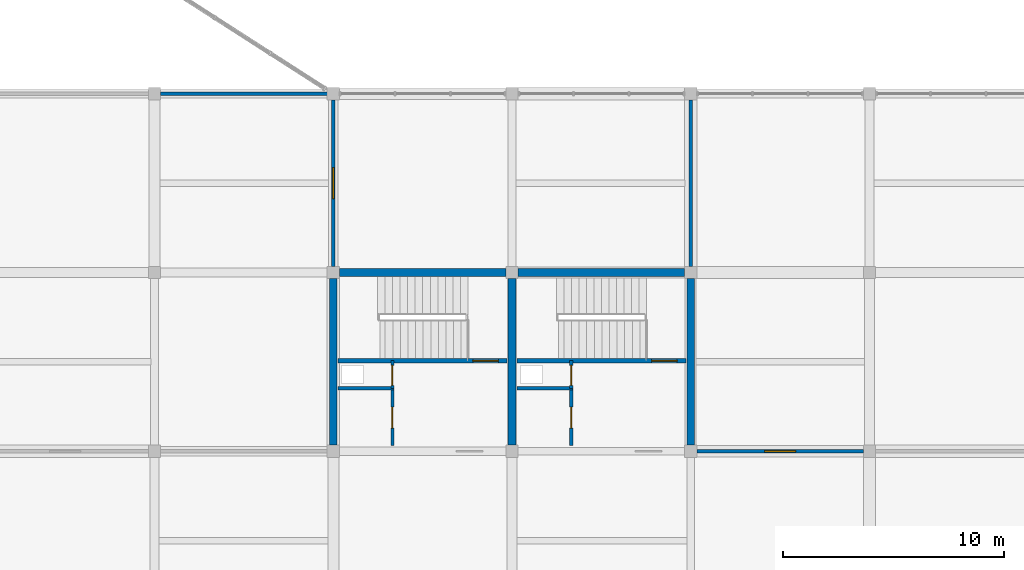
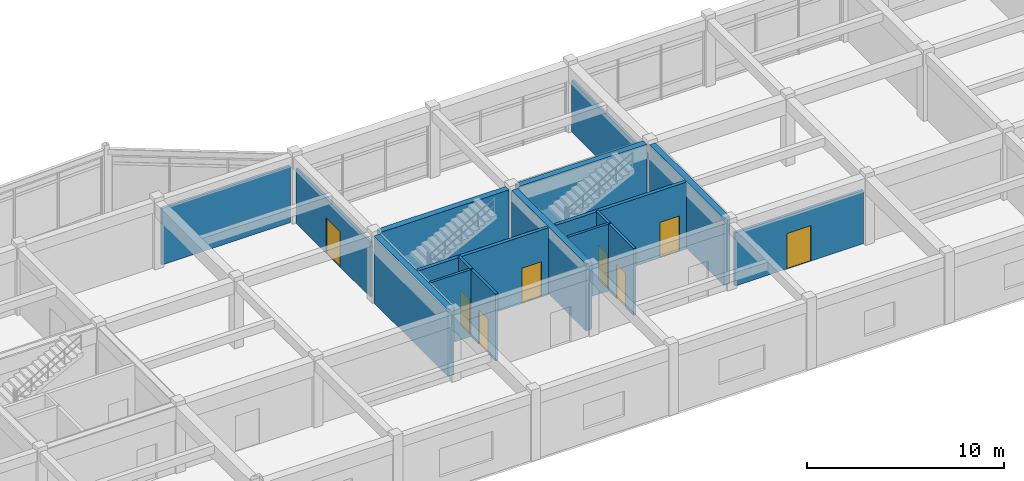
# One storey, part 30 of 42: 17 walls, 8 doors, 8 openings.
"""IFC4 building model written with IfcOpenShell, lengths in metres."""

from ifc_helpers import new_model, si_unit, direction, frame, frame_2d, origin, place, context, subcontext, project, spatial, rectangle, extrude, material, layer, layer_set, type_object, element, fill, save


model = new_model("IFC4")

# Units and contexts
model_context = context("Model", 3, precision=1e-05, world=origin(), true_north=direction((0.0, 1.0)))
body_context = subcontext(model_context, "Body", "Model", "MODEL_VIEW")
ifc_project = project(units=[si_unit("LENGTHUNIT", "METRE"), si_unit("AREAUNIT", "SQUARE_METRE"), si_unit("VOLUMEUNIT", "CUBIC_METRE"), si_unit("PLANEANGLEUNIT", "RADIAN"), si_unit("MASSUNIT", "GRAM", prefix="KILO")], contexts=[model_context])

# Site, building, storey
site_placement = place(None, origin())
site = spatial("IfcSite", under=ifc_project, at=site_placement, CompositionType="ELEMENT")
building_placement = place(site_placement, origin())
building = spatial("IfcBuilding", under=site, at=building_placement, Name="Vaudrelin Polytechnic", CompositionType="ELEMENT")
storey_placement = place(building_placement, frame((0.0, 0.0, 18.530029296875)))
storey = spatial("IfcBuildingStorey", under=building, at=storey_placement, Name="L04", CompositionType="ELEMENT", Elevation=18.530029296875)

# Wall, opening, door
ifc_material_1 = material(Name="Fire-rated steel-stud gypsum compartment wall", Category="steel")
ifc_layer_1 = layer(ifc_material_1, 0.14990234375)
ifc_layer_set_1 = layer_set([ifc_layer_1], Name="Fire-rated steel-stud gypsum compartment wall")
wall_type_1 = type_object("IfcWallType", Name="WAL-PW-FIRE60", PredefinedType="PARTITIONING", material=ifc_layer_set_1)
wall_1_placement = place(storey_placement, frame((116.080078125, 108.14990234375, 0.0), z_axis=(0.0, 0.0, 1.0), x_axis=(0.0, 1.0, 0.0)))
wall_1 = element("IfcWall", 1, at=wall_1_placement, inside=storey, type_object=wall_type_1, Name="Core C10 riser enclosure wall L04", PredefinedType="PARTITIONING", context=body_context, shape_type="SweptSolid", body=[
    extrude(rectangle(XDim=1.260009765625, YDim=0.14990234375, at=frame_2d((0.6298828125, 0.0))), origin(), (0.0, 0.0, 1.0), 4.161865234375),
])
opening_1_placement = place(wall_1_placement, frame((0.139892578125, 0.0, 0.0)))
opening_1 = element("IfcOpeningElement", 2, at=opening_1_placement, cuts=wall_1, Name="Opening D-L04-226", PredefinedType="OPENING", context=body_context, shape_type="SweptSolid", body=[
    extrude(rectangle(XDim=0.89990234375, YDim=2.14990234375, at=frame_2d((0.449951171875, 1.074951171875))), frame((0.0, 0.0849609375, 0.0), z_axis=(0.0, -1.0, 0.0), x_axis=(1.0, 0.0, 0.0)), (0.0, 0.0, 1.0), 0.169921875),
])
ifc_material_2 = material(Name="Pressed galvanised steel acoustic leaf", Category="steel")
door_type_1 = type_object("IfcDoorType", Name="DOR-ID-RSR1", OperationType="NOTDEFINED", PredefinedType="DOOR", material=ifc_material_2)
door_1_placement = place(opening_1_placement, origin())
door_1 = element("IfcDoor", 3, at=door_1_placement, inside=storey, type_object=door_type_1, Name="Core C10 riser access door L04", OperationType="SINGLE_SWING_RIGHT", OverallHeight=2.14990234375, OverallWidth=0.89990234375, PredefinedType="DOOR", context=body_context, shape_type="SweptSolid", body=[
    extrude(rectangle(XDim=0.89990234375, YDim=2.14990234375, at=frame_2d((0.449951171875, 1.074951171875))), frame((0.0, 0.02490234375, 0.0), z_axis=(0.0, -1.0, 0.0), x_axis=(1.0, 0.0, 0.0)), (0.0, 0.0, 1.0), 0.050048828125),
])
fill(opening_1, door_1)

# Wall
wall_2_placement = place(storey_placement, frame((113.6201171875, 108.14990234375, 0.0), z_axis=(0.0, 0.0, 1.0), x_axis=(1.0, 0.0, 0.0)))
element("IfcWall", 4, at=wall_2_placement, inside=storey, type_object=wall_type_1, Name="Core C10 riser south fire wall L04", PredefinedType="PARTITIONING", context=body_context, shape_type="SweptSolid", body=[
    extrude(rectangle(XDim=2.52978515625, YDim=0.14990234375, at=frame_2d((1.264892578125, 0.0))), origin(), (0.0, 0.0, 1.0), 4.161865234375),
])

# Wall, opening, door
wall_3_placement = place(storey_placement, frame((116.080078125, 105.550048828125, 0.0), z_axis=(0.0, 0.0, 1.0), x_axis=(0.0, 1.0, 0.0)))
wall_3 = element("IfcWall", 5, at=wall_3_placement, inside=storey, type_object=wall_type_1, Name="Core C10 custodial enclosure wall L04", PredefinedType="PARTITIONING", context=body_context, shape_type="SweptSolid", body=[
    extrude(rectangle(XDim=2.599853515625, YDim=0.14990234375, at=frame_2d((1.2998046875, 0.0))), origin(), (0.0, 0.0, 1.0), 4.161865234375),
])
opening_2_placement = place(wall_3_placement, frame((0.800048828125, 0.0, 0.0)))
opening_2 = element("IfcOpeningElement", 6, at=opening_2_placement, cuts=wall_3, Name="Opening D-L04-227", PredefinedType="OPENING", context=body_context, shape_type="SweptSolid", body=[
    extrude(rectangle(XDim=0.949951171875, YDim=2.14990234375, at=frame_2d((0.47509765625, 1.074951171875))), frame((0.0, 0.0849609375, 0.0), z_axis=(0.0, -1.0, 0.0), x_axis=(1.0, 0.0, 0.0)), (0.0, 0.0, 1.0), 0.169921875),
])
door_type_2 = type_object("IfcDoorType", Name="DOR-ID-STR1", OperationType="NOTDEFINED", PredefinedType="DOOR", material=ifc_material_2)
door_2_placement = place(opening_2_placement, origin())
door_2 = element("IfcDoor", 7, at=door_2_placement, inside=storey, type_object=door_type_2, Name="Core C10 custodial door L04", OperationType="SINGLE_SWING_RIGHT", OverallHeight=2.14990234375, OverallWidth=0.949951171875, PredefinedType="DOOR", context=body_context, shape_type="SweptSolid", body=[
    extrude(rectangle(XDim=0.949951171875, YDim=2.14990234375, at=frame_2d((0.47509765625, 1.074951171875))), frame((0.0, 0.02490234375, 0.0), z_axis=(0.0, -1.0, 0.0), x_axis=(1.0, 0.0, 0.0)), (0.0, 0.0, 1.0), 0.050048828125),
])
fill(opening_2, door_2)

wall_4_placement = place(storey_placement, frame((107.97998046875, 108.14990234375, 0.0), z_axis=(0.0, 0.0, 1.0), x_axis=(0.0, 1.0, 0.0)))
wall_4 = element("IfcWall", 8, at=wall_4_placement, inside=storey, type_object=wall_type_1, Name="Core C11 riser enclosure wall L04", PredefinedType="PARTITIONING", context=body_context, shape_type="SweptSolid", body=[
    extrude(rectangle(XDim=1.260009765625, YDim=0.14990234375, at=frame_2d((0.6298828125, 0.0))), origin(), (0.0, 0.0, 1.0), 4.161865234375),
])
opening_3_placement = place(wall_4_placement, frame((0.139892578125, 0.0, 0.0)))
opening_3 = element("IfcOpeningElement", 9, at=opening_3_placement, cuts=wall_4, Name="Opening D-L04-255", PredefinedType="OPENING", context=body_context, shape_type="SweptSolid", body=[
    extrude(rectangle(XDim=0.89990234375, YDim=2.14990234375, at=frame_2d((0.449951171875, 1.074951171875))), frame((0.0, 0.0849609375, 0.0), z_axis=(0.0, -1.0, 0.0), x_axis=(1.0, 0.0, 0.0)), (0.0, 0.0, 1.0), 0.169921875),
])
door_3_placement = place(opening_3_placement, origin())
door_3 = element("IfcDoor", 10, at=door_3_placement, inside=storey, type_object=door_type_1, Name="Core C11 riser access door L04", OperationType="SINGLE_SWING_RIGHT", OverallHeight=2.14990234375, OverallWidth=0.89990234375, PredefinedType="DOOR", context=body_context, shape_type="SweptSolid", body=[
    extrude(rectangle(XDim=0.89990234375, YDim=2.14990234375, at=frame_2d((0.449951171875, 1.074951171875))), frame((0.0, 0.02490234375, 0.0), z_axis=(0.0, -1.0, 0.0), x_axis=(1.0, 0.0, 0.0)), (0.0, 0.0, 1.0), 0.050048828125),
])
fill(opening_3, door_3)

# Wall
wall_5_placement = place(storey_placement, frame((105.52001953125, 108.14990234375, 0.0), z_axis=(0.0, 0.0, 1.0), x_axis=(1.0, 0.0, 0.0)))
element("IfcWall", 11, at=wall_5_placement, inside=storey, type_object=wall_type_1, Name="Core C11 riser south fire wall L04", PredefinedType="PARTITIONING", context=body_context, shape_type="SweptSolid", body=[
    extrude(rectangle(XDim=2.530029296875, YDim=0.14990234375, at=frame_2d((1.26513671875, 0.0))), origin(), (0.0, 0.0, 1.0), 4.161865234375),
])

# Wall, opening, door
wall_6_placement = place(storey_placement, frame((107.97998046875, 105.550048828125, 0.0), z_axis=(0.0, 0.0, 1.0), x_axis=(0.0, 1.0, 0.0)))
wall_6 = element("IfcWall", 12, at=wall_6_placement, inside=storey, type_object=wall_type_1, Name="Core C11 custodial enclosure wall L04", PredefinedType="PARTITIONING", context=body_context, shape_type="SweptSolid", body=[
    extrude(rectangle(XDim=2.599853515625, YDim=0.14990234375, at=frame_2d((1.2998046875, 0.0))), origin(), (0.0, 0.0, 1.0), 4.161865234375),
])
opening_4_placement = place(wall_6_placement, frame((0.800048828125, 0.0, 0.0)))
opening_4 = element("IfcOpeningElement", 13, at=opening_4_placement, cuts=wall_6, Name="Opening D-L04-256", PredefinedType="OPENING", context=body_context, shape_type="SweptSolid", body=[
    extrude(rectangle(XDim=0.949951171875, YDim=2.14990234375, at=frame_2d((0.47509765625, 1.074951171875))), frame((0.0, 0.0849609375, 0.0), z_axis=(0.0, -1.0, 0.0), x_axis=(1.0, 0.0, 0.0)), (0.0, 0.0, 1.0), 0.169921875),
])
door_4_placement = place(opening_4_placement, origin())
door_4 = element("IfcDoor", 14, at=door_4_placement, inside=storey, type_object=door_type_2, Name="Core C11 custodial door L04", OperationType="SINGLE_SWING_RIGHT", OverallHeight=2.14990234375, OverallWidth=0.949951171875, PredefinedType="DOOR", context=body_context, shape_type="SweptSolid", body=[
    extrude(rectangle(XDim=0.949951171875, YDim=2.14990234375, at=frame_2d((0.47509765625, 1.074951171875))), frame((0.0, 0.02490234375, 0.0), z_axis=(0.0, -1.0, 0.0), x_axis=(1.0, 0.0, 0.0)), (0.0, 0.0, 1.0), 0.050048828125),
])
fill(opening_4, door_4)

ifc_material_3 = material(Name="Pin-up plywood & acoustic gypsum studio partition", Category="wood")
ifc_layer_2 = layer(ifc_material_3, 0.14990234375)
ifc_layer_set_2 = layer_set([ifc_layer_2], Name="Pin-up plywood & acoustic gypsum studio partition")
wall_type_2 = type_object("IfcWallType", Name="WAL-PW-STU150", PredefinedType="PARTITIONING", material=ifc_layer_set_2)
wall_7_placement = place(storey_placement, frame((105.300048828125, 113.673095703125, 0.0), z_axis=(0.0, 0.0, 1.0), x_axis=(0.0, 1.0, 0.0)))
wall_7 = element("IfcWall", 15, at=wall_7_placement, inside=storey, type_object=wall_type_2, Name="Partition L04-005 E", PredefinedType="PARTITIONING", context=body_context, shape_type="SweptSolid", body=[
    extrude(rectangle(XDim=7.553955078125, YDim=0.14990234375, at=frame_2d((3.77685546875, 0.0))), origin(), (0.0, 0.0, 1.0), 3.411865234375),
])
opening_5_placement = place(wall_7_placement, frame((3.076904296875, 0.0, 0.0)))
opening_5 = element("IfcOpeningElement", 16, at=opening_5_placement, cuts=wall_7, Name="Opening D-L04-538", PredefinedType="OPENING", context=body_context, shape_type="SweptSolid", body=[
    extrude(rectangle(XDim=1.39990234375, YDim=2.199951171875, at=frame_2d((0.699951171875, 1.10009765625))), frame((0.0, 0.0849609375, 0.0), z_axis=(0.0, -1.0, 0.0), x_axis=(1.0, 0.0, 0.0)), (0.0, 0.0, 1.0), 0.169921875),
])
ifc_material_4 = material(Name="Solid-core birch veneer acoustic leaf", Category="wood")
door_type_3 = type_object("IfcDoorType", Name="DOR-ID-STU1", OperationType="NOTDEFINED", PredefinedType="DOOR", material=ifc_material_4)
door_5_placement = place(opening_5_placement, origin())
door_5 = element("IfcDoor", 17, at=door_5_placement, inside=storey, type_object=door_type_3, Name="Robotic Milling Prep Studio door L04-024", OperationType="DOUBLE_SWING_LEFT", OverallHeight=2.199951171875, OverallWidth=1.39990234375, PredefinedType="DOOR", context=body_context, shape_type="SweptSolid", body=[
    extrude(rectangle(XDim=1.39990234375, YDim=2.199951171875, at=frame_2d((0.699951171875, 1.10009765625))), frame((0.0, 0.02490234375, 0.0), z_axis=(0.0, -1.0, 0.0), x_axis=(1.0, 0.0, 0.0)), (0.0, 0.0, 1.0), 0.050048828125),
])
fill(opening_5, door_5)

# Wall
wall_8_placement = place(storey_placement, frame((97.472900390625, 121.5, 0.0), z_axis=(0.0, 0.0, 1.0), x_axis=(1.0, 0.0, 0.0)))
element("IfcWall", 18, at=wall_8_placement, inside=storey, type_object=wall_type_2, Name="Partition L04-005 N", PredefinedType="PARTITIONING", context=body_context, shape_type="SweptSolid", body=[
    extrude(rectangle(XDim=7.55419921875, YDim=0.14990234375, at=frame_2d((3.777099609375, 0.0))), origin(), (0.0, 0.0, 1.0), 3.511962890625),
])

# Wall, opening, door
wall_9_placement = place(storey_placement, frame((121.77294921875, 105.300048828125, 0.0), z_axis=(0.0, 0.0, 1.0), x_axis=(1.0, 0.0, 0.0)))
wall_9 = element("IfcWall", 19, at=wall_9_placement, inside=storey, type_object=wall_type_2, Name="Partition L04-006 S", PredefinedType="PARTITIONING", context=body_context, shape_type="SweptSolid", body=[
    extrude(rectangle(XDim=7.553955078125, YDim=0.14990234375, at=frame_2d((3.77685546875, 0.0))), origin(), (0.0, 0.0, 1.0), 3.31201171875),
])
opening_6_placement = place(wall_9_placement, frame((3.076904296875, 0.0, 0.0)))
opening_6 = element("IfcOpeningElement", 20, at=opening_6_placement, cuts=wall_9, Name="Opening D-L04-522", PredefinedType="OPENING", context=body_context, shape_type="SweptSolid", body=[
    extrude(rectangle(XDim=1.39990234375, YDim=2.199951171875, at=frame_2d((0.699951171875, 1.10009765625))), frame((0.0, 0.0849609375, 0.0), z_axis=(0.0, -1.0, 0.0), x_axis=(1.0, 0.0, 0.0)), (0.0, 0.0, 1.0), 0.169921875),
])
door_6_placement = place(opening_6_placement, origin())
door_6 = element("IfcDoor", 21, at=door_6_placement, inside=storey, type_object=door_type_3, Name="Digital Fabrication Critique Studio door L04-006", OperationType="DOUBLE_SWING_LEFT", OverallHeight=2.199951171875, OverallWidth=1.39990234375, PredefinedType="DOOR", context=body_context, shape_type="SweptSolid", body=[
    extrude(rectangle(XDim=1.39990234375, YDim=2.199951171875, at=frame_2d((0.699951171875, 1.10009765625))), frame((0.0, 0.02490234375, 0.0), z_axis=(0.0, -1.0, 0.0), x_axis=(1.0, 0.0, 0.0)), (0.0, 0.0, 1.0), 0.050048828125),
])
fill(opening_6, door_6)

# Wall
wall_10_placement = place(storey_placement, frame((121.5, 113.673095703125, 0.0), z_axis=(0.0, 0.0, 1.0), x_axis=(0.0, 1.0, 0.0)))
element("IfcWall", 22, at=wall_10_placement, inside=storey, type_object=wall_type_2, Name="Partition L04-006 W", PredefinedType="PARTITIONING", context=body_context, shape_type="SweptSolid", body=[
    extrude(rectangle(XDim=7.553955078125, YDim=0.14990234375, at=frame_2d((3.77685546875, 0.0))), origin(), (0.0, 0.0, 1.0), 3.2119140625),
])

# Wall, opening, door
ifc_material_5 = material(Name="Concrete 40 MPa", Category="concrete")
ifc_layer_3 = layer(ifc_material_5, 0.199951171875)
ifc_layer_set_3 = layer_set([ifc_layer_3], Name="Concrete 40 MPa")
wall_type_3 = type_object("IfcWallType", Name="WAL-SW-CORE200", PredefinedType="SHEAR", material=ifc_layer_set_3)
wall_11_placement = place(storey_placement, frame((113.6201171875, 109.409912109375, 0.0), z_axis=(0.0, 0.0, 1.0), x_axis=(1.0, 0.0, 0.0)))
wall_11 = element("IfcWall", 23, at=wall_11_placement, inside=storey, type_object=wall_type_3, Name="Core C10 stair enclosure wall L04", PredefinedType="SHEAR", context=body_context, shape_type="SweptSolid", body=[
    extrude(rectangle(XDim=7.659912109375, YDim=0.199951171875, at=frame_2d((3.830078125, 0.0))), origin(), (0.0, 0.0, 1.0), 4.161865234375),
])
opening_7_placement = place(wall_11_placement, frame((6.110107421875, 0.0, 0.0)))
opening_7 = element("IfcOpeningElement", 24, at=opening_7_placement, cuts=wall_11, Name="Opening D-L04-225", PredefinedType="OPENING", context=body_context, shape_type="SweptSolid", body=[
    extrude(rectangle(XDim=1.14990234375, YDim=2.199951171875, at=frame_2d((0.574951171875, 1.10009765625))), frame((0.0, 0.10986328125, 0.0), z_axis=(0.0, -1.0, 0.0), x_axis=(1.0, 0.0, 0.0)), (0.0, 0.0, 1.0), 0.219970703125),
])
door_type_4 = type_object("IfcDoorType", Name="DOR-ID-ST1", OperationType="NOTDEFINED", PredefinedType="DOOR", material=ifc_material_2)
door_7_placement = place(opening_7_placement, origin())
door_7 = element("IfcDoor", 25, at=door_7_placement, inside=storey, type_object=door_type_4, Name="Core C10 exit stair door L04", OperationType="SINGLE_SWING_LEFT", OverallHeight=2.199951171875, OverallWidth=1.14990234375, PredefinedType="DOOR", context=body_context, shape_type="SweptSolid", body=[
    extrude(rectangle(XDim=1.14990234375, YDim=2.199951171875, at=frame_2d((0.574951171875, 1.10009765625))), frame((0.0, 0.02490234375, 0.0), z_axis=(0.0, -1.0, 0.0), x_axis=(1.0, 0.0, 0.0)), (0.0, 0.0, 1.0), 0.050048828125),
])
fill(opening_7, door_7)

wall_12_placement = place(storey_placement, frame((105.52001953125, 109.409912109375, 0.0), z_axis=(0.0, 0.0, 1.0), x_axis=(1.0, 0.0, 0.0)))
wall_12 = element("IfcWall", 26, at=wall_12_placement, inside=storey, type_object=wall_type_3, Name="Core C11 stair enclosure wall L04", PredefinedType="SHEAR", context=body_context, shape_type="SweptSolid", body=[
    extrude(rectangle(XDim=7.659912109375, YDim=0.199951171875, at=frame_2d((3.830078125, 0.0))), origin(), (0.0, 0.0, 1.0), 4.161865234375),
])
opening_8_placement = place(wall_12_placement, frame((6.110107421875, 0.0, 0.0)))
opening_8 = element("IfcOpeningElement", 27, at=opening_8_placement, cuts=wall_12, Name="Opening D-L04-254", PredefinedType="OPENING", context=body_context, shape_type="SweptSolid", body=[
    extrude(rectangle(XDim=1.14990234375, YDim=2.199951171875, at=frame_2d((0.574951171875, 1.10009765625))), frame((0.0, 0.10986328125, 0.0), z_axis=(0.0, -1.0, 0.0), x_axis=(1.0, 0.0, 0.0)), (0.0, 0.0, 1.0), 0.219970703125),
])
door_8_placement = place(opening_8_placement, origin())
door_8 = element("IfcDoor", 28, at=door_8_placement, inside=storey, type_object=door_type_4, Name="Core C11 exit stair door L04", OperationType="SINGLE_SWING_LEFT", OverallHeight=2.199951171875, OverallWidth=1.14990234375, PredefinedType="DOOR", context=body_context, shape_type="SweptSolid", body=[
    extrude(rectangle(XDim=1.14990234375, YDim=2.199951171875, at=frame_2d((0.574951171875, 1.10009765625))), frame((0.0, 0.02490234375, 0.0), z_axis=(0.0, -1.0, 0.0), x_axis=(1.0, 0.0, 0.0)), (0.0, 0.0, 1.0), 0.050048828125),
])
fill(opening_8, door_8)

# Walls
ifc_material_6 = material(Name="Concrete 50 MPa", Category="concrete")
ifc_layer_4 = layer(ifc_material_6, 0.35009765625)
ifc_layer_set_4 = layer_set([ifc_layer_4], Name="Concrete 50 MPa")
wall_type_4 = type_object("IfcWallType", Name="WAL-SW-CORE350", PredefinedType="SHEAR", material=ifc_layer_set_4)
for number, where, z_axis, x_axis, name in (
    (29, (113.673095703125, 113.39990234375, 0.0), (0.0, 0.0, 1.0), (1.0, 0.0, 0.0), "Core C10 N shear wall L04"),
    (30, (113.39990234375, 105.572998046875, 0.0), (0.0, 0.0, 1.0), (0.0, 1.0, 0.0), "Core C10 W shear wall L04"),
    (31, (121.5, 105.572998046875, 0.0), (0.0, 0.0, 1.0), (0.0, 1.0, 0.0), "Core C10 E shear wall L04"),
    (32, (105.572998046875, 113.39990234375, 0.0), (0.0, 0.0, 1.0), (1.0, 0.0, 0.0), "Core C11 N shear wall L04"),
    (33, (105.300048828125, 105.572998046875, 0.0), (0.0, 0.0, 1.0), (0.0, 1.0, 0.0), "Core C11 W shear wall L04"),
):
    element("IfcWall", number, at=place(storey_placement, frame(where, z_axis=z_axis, x_axis=x_axis)), inside=storey, type_object=wall_type_4, Name=name, PredefinedType="SHEAR", context=body_context, shape_type="SweptSolid", body=[
        extrude(rectangle(XDim=7.553955078125, YDim=0.35009765625, at=frame_2d((3.77685546875, 0.0))), origin(), (0.0, 0.0, 1.0), 4.161865234375),
    ])

save(model, "model.ifc")
